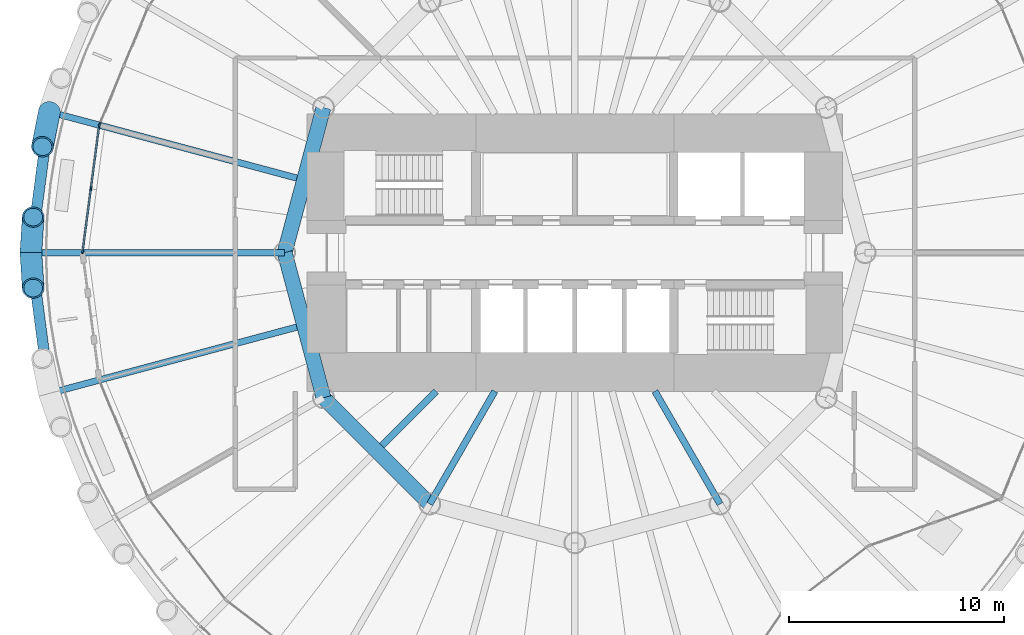
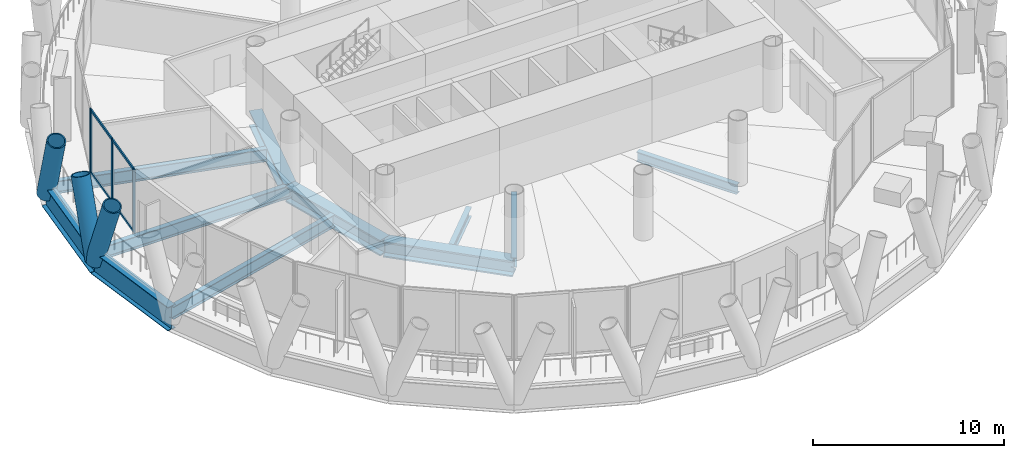
# One storey, part 3 of 15: 11 beams, 11 members, 2 elements without a shape of their own.
"""IFC4 building model written with IfcOpenShell, lengths in metres."""

from ifc_helpers import new_model, si_unit, direction, frame, origin, origin_2d, place, context, subcontext, project, spatial, rectangle, hollow_circle, i_section, extrude, material, material_profile, profile_set, type_object, element, aggregate, save


model = new_model("IFC4")

# Units and contexts
model_context = context("Model", 3, precision=1e-05, world=origin(), true_north=direction((0.0, 1.0)))
body_context = subcontext(model_context, "Body", "Model", "MODEL_VIEW")
ifc_project = project(units=[si_unit("LENGTHUNIT", "METRE"), si_unit("AREAUNIT", "SQUARE_METRE"), si_unit("VOLUMEUNIT", "CUBIC_METRE"), si_unit("PLANEANGLEUNIT", "RADIAN"), si_unit("MASSUNIT", "GRAM", prefix="KILO")], contexts=[model_context])

# Site, building, storey
site_placement = place(None, origin())
site = spatial("IfcSite", under=ifc_project, at=site_placement, CompositionType="ELEMENT")
building_placement = place(site_placement, origin())
building = spatial("IfcBuilding", under=site, at=building_placement, Name="Qaws Media Tower", CompositionType="ELEMENT")
storey_placement = place(building_placement, frame((0.0, 0.0, 110.0)))
storey = spatial("IfcBuildingStorey", under=building, at=storey_placement, Name="L24", CompositionType="ELEMENT", Elevation=110.0)

# Curtain wall, member
ifc_material_1 = material(Name="Aluminium and clear glass", Category="aluminium")
curtain_wall_type = type_object("IfcCurtainWallType", Name="Unitised curtain wall CW-B", PredefinedType="NOTDEFINED", material=ifc_material_1)
curtain_wall_1_placement = place(storey_placement, origin())
curtain_wall_1 = element("IfcCurtainWall", 1, at=curtain_wall_1_placement, inside=storey, type_object=curtain_wall_type, Name="CWB curtain wall L24-11", PredefinedType="NOTDEFINED")
ifc_material_2 = material(Name="Aluminium mullion", Category="aluminium")
ifc_material_profile_1 = material_profile(ifc_material_2, rectangle(XDim=0.080078125, YDim=0.199951171875, at=origin_2d()), Name="80x200")
ifc_profile_set_1 = profile_set([ifc_material_profile_1], Name="Aluminium mullion")
member_type_1 = type_object("IfcMemberType", Name="Curtain wall mullion 80x200", PredefinedType="MULLION", material=ifc_profile_set_1)
member_1_placement = place(storey_placement, frame((37.8955078125, 55.9638671875, 0.0), z_axis=(0.0, 0.0, 1.0), x_axis=(0.923879575705, -0.382683328086, 0.0)))
member_1 = element("IfcMember", 2, at=member_1_placement, type_object=member_type_1, Name="CWB mullion 3", PredefinedType="MULLION", context=body_context, shape_type="SweptSolid", body=[
    extrude(rectangle(XDim=0.080078125, YDim=0.199951171875, at=origin_2d()), origin(), (0.0, 0.0, 1.0), 4.0400390625),
])
aggregate(curtain_wall_1, [member_1])

# Curtain wall, members
curtain_wall_2_placement = place(storey_placement, origin())
curtain_wall_2 = element("IfcCurtainWall", 3, at=curtain_wall_2_placement, inside=storey, type_object=curtain_wall_type, Name="CWB curtain wall L24-12", PredefinedType="NOTDEFINED")
member_2_placement = place(storey_placement, frame((37.875, 55.88720703125, 0.0), z_axis=(0.0, 0.0, 1.0), x_axis=(0.99144485186, -0.130526264481, 0.0)))
member_2 = element("IfcMember", 4, at=member_2_placement, type_object=member_type_1, Name="CWB mullion 1", PredefinedType="MULLION", context=body_context, shape_type="SweptSolid", body=[
    extrude(rectangle(XDim=0.080078125, YDim=0.199951171875, at=origin_2d()), origin(), (0.0, 0.0, 1.0), 4.0400390625),
])
member_3_placement = place(storey_placement, frame((37.490234375, 52.96337890625, 0.0), z_axis=(0.0, 0.0, 1.0), x_axis=(0.99144485186, -0.130526264481, 0.0)))
member_3 = element("IfcMember", 5, at=member_3_placement, type_object=member_type_1, Name="CWB mullion 2", PredefinedType="MULLION", context=body_context, shape_type="SweptSolid", body=[
    extrude(rectangle(XDim=0.080078125, YDim=0.199951171875, at=origin_2d()), origin(), (0.0, 0.0, 1.0), 4.0400390625),
])
member_4_placement = place(storey_placement, frame((37.105224609375, 50.03955078125, 0.0), z_axis=(0.0, 0.0, 1.0), x_axis=(0.99144485186, -0.130526264481, 0.0)))
member_4 = element("IfcMember", 6, at=member_4_placement, type_object=member_type_1, Name="CWB mullion 3", PredefinedType="MULLION", context=body_context, shape_type="SweptSolid", body=[
    extrude(rectangle(XDim=0.080078125, YDim=0.199951171875, at=origin_2d()), origin(), (0.0, 0.0, 1.0), 4.0400390625),
])
ifc_material_3 = material(Name="Aluminium transom", Category="aluminium")
ifc_material_profile_2 = material_profile(ifc_material_3, rectangle(XDim=0.080078125, YDim=0.159912109375, at=origin_2d()), Name="80x160")
ifc_profile_set_2 = profile_set([ifc_material_profile_2], Name="Aluminium transom")
member_type_2 = type_object("IfcMemberType", Name="Curtain wall transom 80x160", PredefinedType="USERDEFINED", material=ifc_profile_set_2)
member_5_placement = place(storey_placement, frame((37.869873046875, 55.84765625, 0.0400390625), z_axis=(-0.130535957862, -0.991443575654, 0.0), x_axis=(0.991443575654, -0.130535957862, 0.0)))
member_5 = element("IfcMember", 7, at=member_5_placement, type_object=member_type_2, Name="CWB transom 1.1", ObjectType="TRANSOM", PredefinedType="USERDEFINED", context=body_context, shape_type="SweptSolid", body=[
    extrude(rectangle(XDim=0.080078125, YDim=0.159912109375, at=origin_2d()), origin(), (0.0, 0.0, 1.0), 2.869140625),
])
member_6_placement = place(storey_placement, frame((37.869873046875, 55.84765625, 4.0), z_axis=(-0.130535957862, -0.991443575654, 0.0), x_axis=(0.991443575654, -0.130535957862, 0.0)))
member_6 = element("IfcMember", 8, at=member_6_placement, type_object=member_type_2, Name="CWB transom 1.2", ObjectType="TRANSOM", PredefinedType="USERDEFINED", context=body_context, shape_type="SweptSolid", body=[
    extrude(rectangle(XDim=0.080078125, YDim=0.159912109375, at=origin_2d()), origin(), (0.0, 0.0, 1.0), 2.869140625),
])
member_7_placement = place(storey_placement, frame((37.48486328125, 52.923828125, 0.0400390625), z_axis=(-0.130535957862, -0.991443575654, 0.0), x_axis=(0.991443575654, -0.130535957862, 0.0)))
member_7 = element("IfcMember", 9, at=member_7_placement, type_object=member_type_2, Name="CWB transom 2.1", ObjectType="TRANSOM", PredefinedType="USERDEFINED", context=body_context, shape_type="SweptSolid", body=[
    extrude(rectangle(XDim=0.080078125, YDim=0.159912109375, at=origin_2d()), origin(), (0.0, 0.0, 1.0), 2.869140625),
])
member_8_placement = place(storey_placement, frame((37.48486328125, 52.923828125, 4.0), z_axis=(-0.130535957862, -0.991443575654, 0.0), x_axis=(0.991443575654, -0.130535957862, 0.0)))
member_8 = element("IfcMember", 10, at=member_8_placement, type_object=member_type_2, Name="CWB transom 2.2", ObjectType="TRANSOM", PredefinedType="USERDEFINED", context=body_context, shape_type="SweptSolid", body=[
    extrude(rectangle(XDim=0.080078125, YDim=0.159912109375, at=origin_2d()), origin(), (0.0, 0.0, 1.0), 2.869140625),
])
aggregate(curtain_wall_2, [member_2, member_3, member_4, member_5, member_6, member_7, member_8])

# Members
ifc_material_4 = material(Name="Steel S460", Category="steel")
ifc_material_profile_3 = material_profile(ifc_material_4, hollow_circle(Radius=0.508056640625, WallThickness=0.070068359375, at=origin_2d()), Name="CHS 1016x70")
ifc_profile_set_3 = profile_set([ifc_material_profile_3], Name="Steel S460")
member_type_3 = type_object("IfcMemberType", Name="Diagrid member CHS 1016x70", PredefinedType="USERDEFINED", material=ifc_profile_set_3)
for number, where, z_axis, x_axis, name in (
    (11, (35.56201171875, 56.548095703125, -0.909912109375), (-0.068912694466, -0.341938716978, 0.937192058424), (0.980290192388, -0.197562999339, 0.0), "DG3 diagrid L24 A12"),
    (12, (34.699951171875, 50.0, -0.909912109375), (0.021924499222, -0.348115757593, 0.93719514278), (0.998022609869, 0.062855947931, 0.0), "DG3 diagrid L24 A13"),
    (13, (34.699951171875, 50.0, -0.909912109375), (0.021924499222, 0.348115757593, 0.93719514278), (-0.998022609869, 0.062855947931, 0.0), "DG3 diagrid L24 B13"),
):
    element("IfcMember", number, at=place(storey_placement, frame(where, z_axis=z_axis, x_axis=x_axis)), inside=storey, type_object=member_type_3, Name=name, ObjectType="DIAGRID", PredefinedType="USERDEFINED", context=body_context, shape_type="SweptSolid", body=[
        extrude(hollow_circle(Radius=0.508056640625, WallThickness=0.070068359375, at=origin_2d()), origin(), (0.0, 0.0, 1.0), 4.74365234375),
    ])

# Beams
ifc_material_5 = material(Name="Steel S460", Category="steel")
ifc_material_profile_4 = material_profile(ifc_material_5, i_section(OverallWidth=0.5, OverallDepth=1.5, WebThickness=0.02001953125, FlangeThickness=0.0400390625, at=origin_2d()), Name="PG 1500x500")
ifc_profile_set_4 = profile_set([ifc_material_profile_4], Name="Steel S460")
beam_type_1 = type_object("IfcBeamType", Name="Edge ring beam PG 1500x500", PredefinedType="BEAM", material=ifc_profile_set_4)
for number, where, z_axis, x_axis, name in (
    (14, (35.56201171875, 56.548095703125, -0.909912109375), (-0.130524315936, -0.991445108389, 0.0), (0.991445108389, -0.130524315936, 0.0), "RB4 edge ring beam L24-12"),
    (15, (34.699951171875, 50.0, -0.909912109375), (0.130524315936, -0.991445108389, 0.0), (0.991445108389, 0.130524315936, 0.0), "RB4 edge ring beam L24-13"),
):
    element("IfcBeam", number, at=place(storey_placement, frame(where, z_axis=z_axis, x_axis=x_axis)), inside=storey, type_object=beam_type_1, Name=name, PredefinedType="BEAM", context=body_context, shape_type="SweptSolid", body=[
        extrude(i_section(OverallWidth=0.5, OverallDepth=1.5, WebThickness=0.02001953125, FlangeThickness=0.0400390625, at=origin_2d()), origin(), (0.0, 0.0, 1.0), 6.6044921875),
    ])
ifc_material_6 = material(Name="Steel S460", Category="steel")
ifc_material_profile_5 = material_profile(ifc_material_6, i_section(OverallWidth=0.699951171875, OverallDepth=1.0, WebThickness=0.034912109375, FlangeThickness=0.090087890625, at=origin_2d()), Name="PG 1000x700")
ifc_profile_set_5 = profile_set([ifc_material_profile_5], Name="Steel S460")
beam_type_2 = type_object("IfcBeamType", Name="Inner ring girder PG 1000x700", PredefinedType="BEAM", material=ifc_profile_set_5)
for number, where, z_axis, x_axis, name in (
    (16, (48.30859375, 56.75, -0.659912109375), (-0.258810593767, -0.965928090778, 0.0), (0.965928090778, -0.258810593767, 0.0), "B3 inner ring beam L24 I06-I07"),
    (17, (46.5, 50.0, -0.659912109375), (0.258810593767, -0.965928090778, 0.0), (0.965928090778, 0.258810593767, 0.0), "B3 inner ring beam L24 I07-I08"),
):
    element("IfcBeam", number, at=place(storey_placement, frame(where, z_axis=z_axis, x_axis=x_axis)), inside=storey, type_object=beam_type_2, Name=name, PredefinedType="BEAM", context=body_context, shape_type="SweptSolid", body=[
        extrude(i_section(OverallWidth=0.699951171875, OverallDepth=1.0, WebThickness=0.034912109375, FlangeThickness=0.090087890625, at=origin_2d()), origin(), (0.0, 0.0, 1.0), 6.988037109375),
    ])
beam_1_placement = place(storey_placement, frame((48.30859375, 43.25, -0.659912109375), z_axis=(0.707106781187, -0.707106781187, 0.0), x_axis=(0.707106781187, 0.707106781187, 0.0)))
element("IfcBeam", 18, at=beam_1_placement, inside=storey, type_object=beam_type_2, Name="B3 inner ring beam L24 I08-I09", PredefinedType="BEAM", context=body_context, shape_type="SweptSolid", body=[
    extrude(i_section(OverallWidth=0.699951171875, OverallDepth=1.0, WebThickness=0.034912109375, FlangeThickness=0.090087890625, at=origin_2d()), origin(), (0.0, 0.0, 1.0), 6.98828125),
])
ifc_material_7 = material(Name="Steel S355", Category="steel")
ifc_material_profile_6 = material_profile(ifc_material_7, i_section(OverallWidth=0.304931640625, OverallDepth=0.6201171875, WebThickness=0.02099609375, FlangeThickness=0.0400390625, FilletRadius=0.027099609375, at=origin_2d()), Name="HE 600 M")
ifc_profile_set_6 = profile_set([ifc_material_profile_6], Name="Steel S355")
beam_type_3 = type_object("IfcBeamType", Name="Radial beam HE 600 M, core side", PredefinedType="BEAM", material=ifc_profile_set_6)
beam_2_placement = place(storey_placement, frame((53.550048828125, 43.550048828125, -0.469970703125), z_axis=(-0.707106781187, -0.707106781187, 0.0), x_axis=(0.707106781187, -0.707106781187, 0.0)))
element("IfcBeam", 19, at=beam_2_placement, inside=storey, type_object=beam_type_3, Name="B2 radial beam L24 16", PredefinedType="BEAM", context=body_context, shape_type="SweptSolid", body=[
    extrude(i_section(OverallWidth=0.304931640625, OverallDepth=0.6201171875, WebThickness=0.02099609375, FlangeThickness=0.0400390625, FilletRadius=0.027099609375, at=origin_2d()), origin(), (0.0, 0.0, 1.0), 3.568359375),
])
for number, where, z_axis, x_axis, name in (
    (20, (56.276123046875, 43.550048828125, -0.469970703125), (-0.499995978368, -0.866027725662, 0.0), (0.866027725662, -0.499995978368, 0.0), "B2 radial beam L24 17"),
    (21, (63.723876953125, 43.550048828125, -0.469970703125), (0.499995978368, -0.866027725662, 0.0), (0.866027725662, 0.499995978368, 0.0), "B2 radial beam L24 21"),
):
    element("IfcBeam", number, at=place(storey_placement, frame(where, z_axis=z_axis, x_axis=x_axis)), inside=storey, type_object=beam_type_3, Name=name, PredefinedType="BEAM", context=body_context, shape_type="SweptSolid", body=[
        extrude(i_section(OverallWidth=0.304931640625, OverallDepth=0.6201171875, WebThickness=0.02099609375, FlangeThickness=0.0400390625, FilletRadius=0.027099609375, at=origin_2d()), origin(), (0.0, 0.0, 1.0), 6.05224609375),
    ])
ifc_material_8 = material(Name="Steel S355", Category="steel")
ifc_material_profile_7 = material_profile(ifc_material_8, i_section(OverallWidth=0.300048828125, OverallDepth=0.800048828125, WebThickness=0.017578125, FlangeThickness=0.032958984375, FilletRadius=0.030029296875, at=origin_2d()), Name="HE 800 B")
ifc_profile_set_7 = profile_set([ifc_material_profile_7], Name="Steel S355")
beam_type_4 = type_object("IfcBeamType", Name="Radial beam HE 800 B", PredefinedType="BEAM", material=ifc_profile_set_7)
beam_3_placement = place(storey_placement, frame((47.066162109375, 53.465576171875, -0.56005859375), z_axis=(-0.965925999999, 0.258818396808, 0.0), x_axis=(-0.258818396808, -0.965925999999, 0.0)))
element("IfcBeam", 22, at=beam_3_placement, inside=storey, type_object=beam_type_4, Name="B1 radial beam L24 12", PredefinedType="BEAM", context=body_context, shape_type="SweptSolid", body=[
    extrude(i_section(OverallWidth=0.300048828125, OverallDepth=0.800048828125, WebThickness=0.017578125, FlangeThickness=0.032958984375, FilletRadius=0.030029296875, at=origin_2d()), origin(), (0.0, 0.0, 1.0), 11.909912109375),
])
beam_4_placement = place(storey_placement, frame((46.5, 50.0, -0.56005859375), z_axis=(-1.0, 0.0, 0.0), x_axis=(0.0, -1.0, 0.0)))
element("IfcBeam", 23, at=beam_4_placement, inside=storey, type_object=beam_type_4, Name="B1 radial beam L24 13", PredefinedType="BEAM", context=body_context, shape_type="SweptSolid", body=[
    extrude(i_section(OverallWidth=0.300048828125, OverallDepth=0.800048828125, WebThickness=0.017578125, FlangeThickness=0.032958984375, FilletRadius=0.030029296875, at=origin_2d()), origin(), (0.0, 0.0, 1.0), 11.800048828125),
])
beam_5_placement = place(storey_placement, frame((47.066162109375, 46.534423828125, -0.56005859375), z_axis=(-0.965925999999, -0.258818396808, 0.0), x_axis=(0.258818396808, -0.965925999999, 0.0)))
element("IfcBeam", 24, at=beam_5_placement, inside=storey, type_object=beam_type_4, Name="B1 radial beam L24 14", PredefinedType="BEAM", context=body_context, shape_type="SweptSolid", body=[
    extrude(i_section(OverallWidth=0.300048828125, OverallDepth=0.800048828125, WebThickness=0.017578125, FlangeThickness=0.032958984375, FilletRadius=0.030029296875, at=origin_2d()), origin(), (0.0, 0.0, 1.0), 11.909912109375),
])

save(model, "model.ifc")
